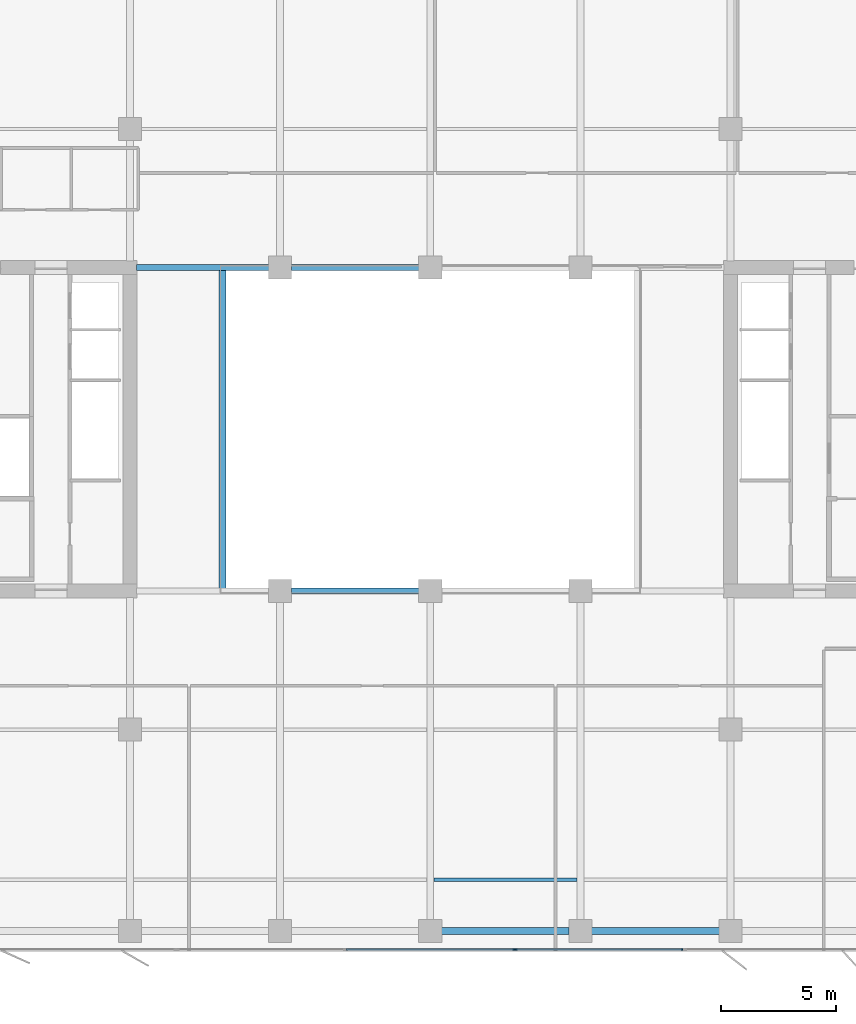
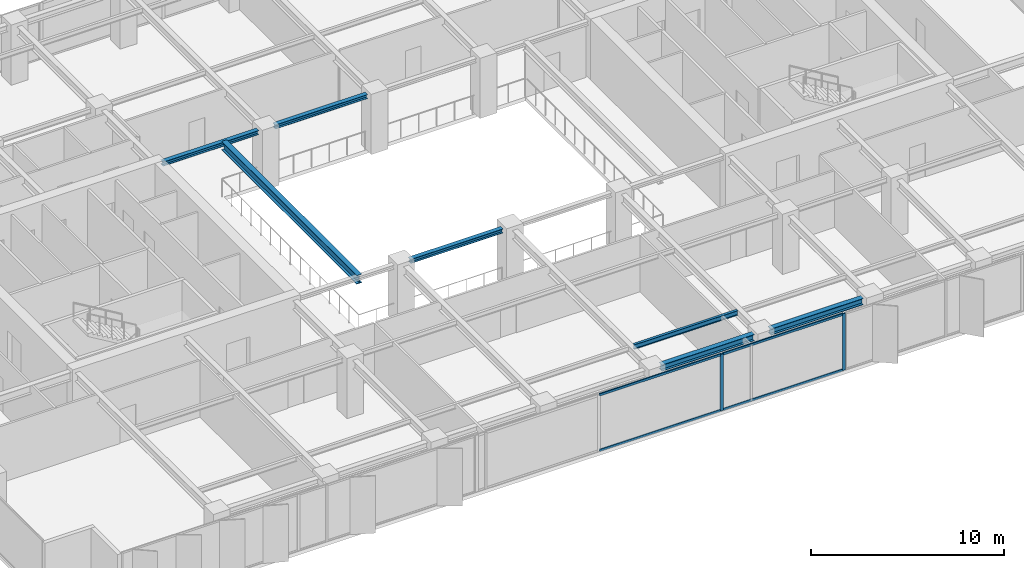
# One storey, part 5 of 22: 7 beams, 6 members, 1 element without a shape of its own.
"""IFC4 building model written with IfcOpenShell, lengths in metres."""

from ifc_helpers import new_model, si_unit, direction, frame, origin, origin_2d, place, context, subcontext, project, spatial, rectangle, i_section, extrude, material, layer, layer_set, material_profile, profile_set, type_object, element, aggregate, save


model = new_model("IFC4")

# Units and contexts
model_context = context("Model", 3, precision=1e-05, world=origin(), true_north=direction((0.0, 1.0)))
body_context = subcontext(model_context, "Body", "Model", "MODEL_VIEW")
ifc_project = project(units=[si_unit("LENGTHUNIT", "METRE"), si_unit("AREAUNIT", "SQUARE_METRE"), si_unit("VOLUMEUNIT", "CUBIC_METRE"), si_unit("PLANEANGLEUNIT", "RADIAN"), si_unit("MASSUNIT", "GRAM", prefix="KILO")], contexts=[model_context])

# Site, building, storey
site_placement = place(None, origin())
site = spatial("IfcSite", under=ifc_project, at=site_placement, CompositionType="ELEMENT")
building_placement = place(site_placement, origin())
building = spatial("IfcBuilding", under=site, at=building_placement, Name="Putna Gate Headquarters", CompositionType="ELEMENT")
storey_placement = place(building_placement, frame((0.0, 0.0, 148.0)))
storey = spatial("IfcBuildingStorey", under=building, at=storey_placement, Name="L36", CompositionType="ELEMENT", Elevation=148.0)

# Beams
ifc_material_1 = material(Name="Steel S355J2", Category="steel")
ifc_material_profile_1 = material_profile(ifc_material_1, i_section(OverallWidth=0.260009765625, OverallDepth=0.260009765625, WebThickness=0.010009765625, FlangeThickness=0.017578125, at=origin_2d()), Name="Steel S355J2")
ifc_profile_set_1 = profile_set([ifc_material_profile_1], Name="Steel S355J2")
beam_type_1 = type_object("IfcBeamType", Name="BM-ATRIUM-HEB260", PredefinedType="BEAM", material=ifc_profile_set_1)
beam_1_placement = place(storey_placement, frame((32.988037109375, 19.0, 3.44189453125), z_axis=(1.0, 0.0, 0.0), x_axis=(0.0, 1.0, 0.0)))
element("IfcBeam", 1, at=beam_1_placement, inside=storey, type_object=beam_type_1, Name="L36 Atrium Edge Beam AS2", PredefinedType="BEAM", context=body_context, shape_type="SweptSolid", body=[
    extrude(i_section(OverallWidth=0.260009765625, OverallDepth=0.260009765625, WebThickness=0.010009765625, FlangeThickness=0.017578125, at=origin_2d()), origin(), (0.0, 0.0, 1.0), 5.52392578125),
])
beam_2_placement = place(storey_placement, frame((26.284912109375, 33.0, 3.44189453125), z_axis=(1.0, 0.0, 0.0), x_axis=(0.0, 1.0, 0.0)))
element("IfcBeam", 2, at=beam_2_placement, inside=storey, type_object=beam_type_1, Name="L36 Atrium Edge Beam AN1", PredefinedType="BEAM", context=body_context, shape_type="SweptSolid", body=[
    extrude(i_section(OverallWidth=0.260009765625, OverallDepth=0.260009765625, WebThickness=0.010009765625, FlangeThickness=0.017578125, at=origin_2d()), origin(), (0.0, 0.0, 1.0), 5.72705078125),
])
beam_3_placement = place(storey_placement, frame((32.988037109375, 33.0, 3.44189453125), z_axis=(1.0, 0.0, 0.0), x_axis=(0.0, 1.0, 0.0)))
element("IfcBeam", 3, at=beam_3_placement, inside=storey, type_object=beam_type_1, Name="L36 Atrium Edge Beam AN2", PredefinedType="BEAM", context=body_context, shape_type="SweptSolid", body=[
    extrude(i_section(OverallWidth=0.260009765625, OverallDepth=0.260009765625, WebThickness=0.010009765625, FlangeThickness=0.017578125, at=origin_2d()), origin(), (0.0, 0.0, 1.0), 5.52392578125),
])
ifc_material_profile_2 = material_profile(ifc_material_1, i_section(OverallWidth=0.300048828125, OverallDepth=0.550048828125, WebThickness=0.014892578125, FlangeThickness=0.029052734375, at=origin_2d()), Name="Steel S355J2")
ifc_profile_set_2 = profile_set([ifc_material_profile_2], Name="Steel S355J2")
beam_type_2 = type_object("IfcBeamType", Name="BM-GIRD-Z3-HEB550", PredefinedType="USERDEFINED", material=ifc_profile_set_2)
beam_4_placement = place(storey_placement, frame((30.0, 19.010009765625, 3.297119140625), z_axis=(0.0, 1.0, 0.0), x_axis=(-1.0, 0.0, 0.0)))
element("IfcBeam", 4, at=beam_4_placement, inside=storey, type_object=beam_type_2, Name="L36 Atrium Trim Girder AW", ObjectType="GIRDER", PredefinedType="USERDEFINED", context=body_context, shape_type="SweptSolid", body=[
    extrude(i_section(OverallWidth=0.300048828125, OverallDepth=0.550048828125, WebThickness=0.014892578125, FlangeThickness=0.029052734375, at=origin_2d()), origin(), (0.0, 0.0, 1.0), 13.97998046875),
])
ifc_material_profile_3 = material_profile(ifc_material_1, i_section(OverallWidth=0.14990234375, OverallDepth=0.300048828125, WebThickness=0.007080078125, FlangeThickness=0.0107421875, at=origin_2d()), Name="Steel S355J2")
ifc_profile_set_3 = profile_set([ifc_material_profile_3], Name="Steel S355J2")
beam_type_3 = type_object("IfcBeamType", Name="BM-SEC-Z3-IPE300", PredefinedType="JOIST", material=ifc_profile_set_3)
beam_5_placement = place(storey_placement, frame((39.154052734375, 6.5, 3.422119140625), z_axis=(1.0, 0.0, 0.0), x_axis=(0.0, 1.0, 0.0)))
element("IfcBeam", 5, at=beam_5_placement, inside=storey, type_object=beam_type_3, Name="L36 South Secondary Beam 5", PredefinedType="JOIST", context=body_context, shape_type="SweptSolid", body=[
    extrude(i_section(OverallWidth=0.14990234375, OverallDepth=0.300048828125, WebThickness=0.007080078125, FlangeThickness=0.0107421875, at=origin_2d()), origin(), (0.0, 0.0, 1.0), 6.19189453125),
])
ifc_material_profile_4 = material_profile(ifc_material_1, i_section(OverallWidth=0.300048828125, OverallDepth=0.39990234375, WebThickness=0.013427734375, FlangeThickness=0.02392578125, at=origin_2d()), Name="Steel S355J2")
ifc_profile_set_4 = profile_set([ifc_material_profile_4], Name="Steel S355J2")
beam_type_4 = type_object("IfcBeamType", Name="BM-SPAN-Z3-HEB400", PredefinedType="SPANDREL", material=ifc_profile_set_4)
for number, where, z_axis, x_axis, name in (
    (6, (39.488037109375, 4.280029296875, 3.3720703125), (1.0, 0.0, 0.0), (0.0, 1.0, 0.0), "L36 S Perimeter Spandrel 5"),
    (7, (45.988037109375, 4.280029296875, 3.3720703125), (1.0, 0.0, 0.0), (0.0, 1.0, 0.0), "L36 S Perimeter Spandrel 6"),
):
    element("IfcBeam", number, at=place(storey_placement, frame(where, z_axis=z_axis, x_axis=x_axis)), inside=storey, type_object=beam_type_4, Name=name, PredefinedType="SPANDREL", context=body_context, shape_type="SweptSolid", body=[
        extrude(i_section(OverallWidth=0.300048828125, OverallDepth=0.39990234375, WebThickness=0.013427734375, FlangeThickness=0.02392578125, at=origin_2d()), origin(), (0.0, 0.0, 1.0), 5.52392578125),
    ])

# Curtain wall, members
ifc_material_2 = material(Name="Anodised bronze aluminium curtain wall", Category="aluminium")
ifc_layer = layer(ifc_material_2, 0.179931640625)
ifc_layer_set = layer_set([ifc_layer], Name="Anodised bronze aluminium curtain wall")
curtain_wall_type = type_object("IfcCurtainWallType", Name="CW-SYS-ATR", PredefinedType="USERDEFINED", material=ifc_layer_set)
curtain_wall_placement = place(storey_placement, origin())
curtain_wall = element("IfcCurtainWall", 8, at=curtain_wall_placement, inside=storey, type_object=curtain_wall_type, Name="L36 South Atrium Clear Glazing", ObjectType="ATRIUM GLAZING", PredefinedType="USERDEFINED")
ifc_material_3 = material(Name="Anodised bronze aluminium EN AW-6060", Category="aluminium")
ifc_material_profile_5 = material_profile(ifc_material_3, rectangle(XDim=0.070068359375, YDim=0.179931640625, at=origin_2d()), Name="Anodised bronze aluminium EN AW-6060")
ifc_profile_set_5 = profile_set([ifc_material_profile_5], Name="Anodised bronze aluminium EN AW-6060")
member_type_1 = type_object("IfcMemberType", Name="MULL-CWM-AT", PredefinedType="MULLION", material=ifc_profile_set_5)
member_1_placement = place(storey_placement, frame((42.666748046875, 3.47998046875, 0.0), z_axis=(0.0, 0.0, 1.0), x_axis=(0.0, 1.0, 0.0)))
member_1 = element("IfcMember", 9, at=member_1_placement, type_object=member_type_1, Name="CWS-AT mullion 3", PredefinedType="MULLION", context=body_context, shape_type="SweptSolid", body=[
    extrude(rectangle(XDim=0.070068359375, YDim=0.179931640625, at=origin_2d()), origin(), (0.0, 0.0, 1.0), 3.572021484375),
])
member_2_placement = place(storey_placement, frame((49.965087890625, 3.47998046875, 0.0), z_axis=(0.0, 0.0, 1.0), x_axis=(0.0, 1.0, 0.0)))
member_2 = element("IfcMember", 10, at=member_2_placement, type_object=member_type_1, Name="CWS-AT mullion 4", PredefinedType="MULLION", context=body_context, shape_type="SweptSolid", body=[
    extrude(rectangle(XDim=0.070068359375, YDim=0.179931640625, at=origin_2d()), origin(), (0.0, 0.0, 1.0), 3.572021484375),
])
ifc_material_profile_6 = material_profile(ifc_material_3, rectangle(XDim=0.070068359375, YDim=0.139892578125, at=origin_2d()), Name="Anodised bronze aluminium EN AW-6060")
ifc_profile_set_6 = profile_set([ifc_material_profile_6], Name="Anodised bronze aluminium EN AW-6060")
member_type_2 = type_object("IfcMemberType", Name="TRAN-CWT-AT", PredefinedType="USERDEFINED", material=ifc_profile_set_6)
member_3_placement = place(storey_placement, frame((35.368408203125, 3.47998046875, 0.034912109375), z_axis=(1.0, 0.0, 0.0), x_axis=(0.0, 1.0, 0.0)))
member_3 = element("IfcMember", 11, at=member_3_placement, type_object=member_type_2, Name="CWS-AT transom 2.1", ObjectType="TRANSOM", PredefinedType="USERDEFINED", context=body_context, shape_type="SweptSolid", body=[
    extrude(rectangle(XDim=0.070068359375, YDim=0.139892578125, at=origin_2d()), origin(), (0.0, 0.0, 1.0), 7.26318359375),
])
member_4_placement = place(storey_placement, frame((35.368408203125, 3.47998046875, 3.537109375), z_axis=(1.0, 0.0, 0.0), x_axis=(0.0, 1.0, 0.0)))
member_4 = element("IfcMember", 12, at=member_4_placement, type_object=member_type_2, Name="CWS-AT transom 2.2", ObjectType="TRANSOM", PredefinedType="USERDEFINED", context=body_context, shape_type="SweptSolid", body=[
    extrude(rectangle(XDim=0.070068359375, YDim=0.139892578125, at=origin_2d()), origin(), (0.0, 0.0, 1.0), 7.26318359375),
])
member_5_placement = place(storey_placement, frame((42.70166015625, 3.47998046875, 0.034912109375), z_axis=(1.0, 0.0, 0.0), x_axis=(0.0, 1.0, 0.0)))
member_5 = element("IfcMember", 13, at=member_5_placement, type_object=member_type_2, Name="CWS-AT transom 3.1", ObjectType="TRANSOM", PredefinedType="USERDEFINED", context=body_context, shape_type="SweptSolid", body=[
    extrude(rectangle(XDim=0.070068359375, YDim=0.139892578125, at=origin_2d()), origin(), (0.0, 0.0, 1.0), 7.228271484375),
])
member_6_placement = place(storey_placement, frame((42.70166015625, 3.47998046875, 3.537109375), z_axis=(1.0, 0.0, 0.0), x_axis=(0.0, 1.0, 0.0)))
member_6 = element("IfcMember", 14, at=member_6_placement, type_object=member_type_2, Name="CWS-AT transom 3.2", ObjectType="TRANSOM", PredefinedType="USERDEFINED", context=body_context, shape_type="SweptSolid", body=[
    extrude(rectangle(XDim=0.070068359375, YDim=0.139892578125, at=origin_2d()), origin(), (0.0, 0.0, 1.0), 7.228271484375),
])
aggregate(curtain_wall, [member_1, member_2, member_3, member_4, member_5, member_6])

save(model, "model.ifc")
